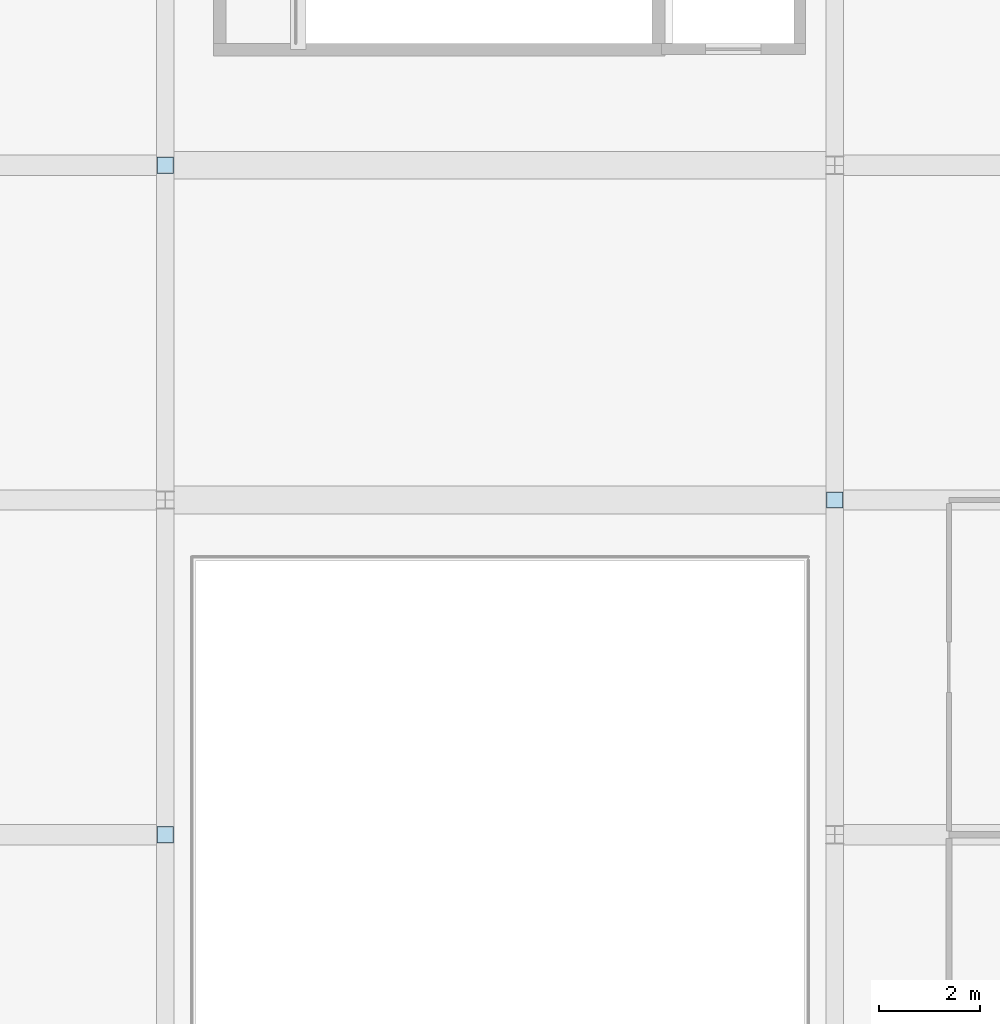
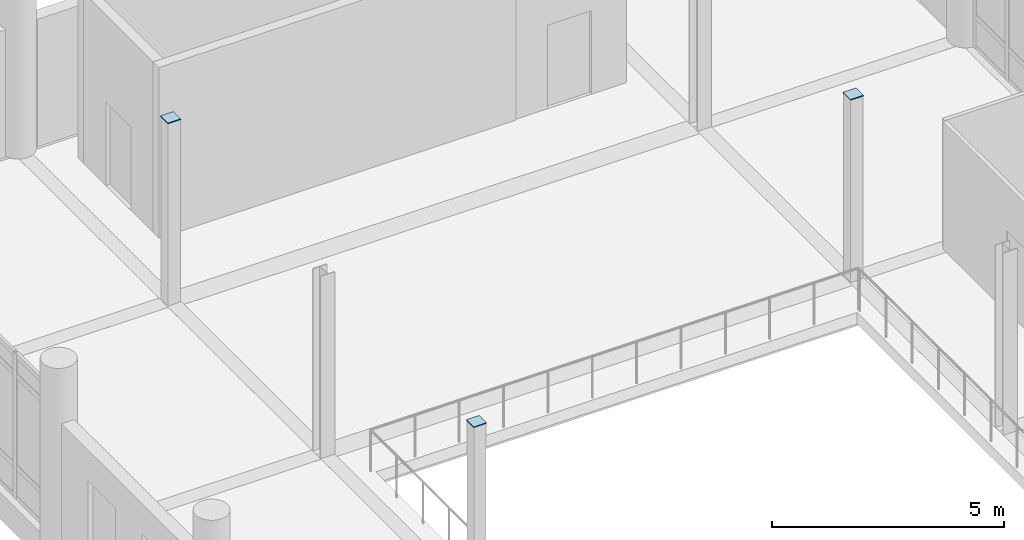
# One storey, part 44 of 76: 3 plates.
"""IFC4 building model written with IfcOpenShell, lengths in metres."""

from ifc_helpers import new_model, si_unit, direction, frame, origin, origin_2d, place, context, subcontext, project, spatial, rectangle, extrude, material, layer, layer_set, type_object, element, save


model = new_model("IFC4")

# Units and contexts
model_context = context("Model", 3, precision=1e-05, world=origin(), true_north=direction((0.0, 1.0)))
body_context = subcontext(model_context, "Body", "Model", "MODEL_VIEW")
ifc_project = project(units=[si_unit("LENGTHUNIT", "METRE"), si_unit("AREAUNIT", "SQUARE_METRE"), si_unit("VOLUMEUNIT", "CUBIC_METRE"), si_unit("PLANEANGLEUNIT", "RADIAN"), si_unit("MASSUNIT", "GRAM", prefix="KILO")], contexts=[model_context])

# Site, building, storey
site_placement = place(None, origin())
site = spatial("IfcSite", under=ifc_project, at=site_placement, CompositionType="ELEMENT")
building_placement = place(site_placement, origin())
building = spatial("IfcBuilding", under=site, at=building_placement, Name="Dornvale Research Institute", CompositionType="ELEMENT")
storey_placement = place(building_placement, frame((0.0, 0.0, 15.0)))
storey = spatial("IfcBuildingStorey", under=building, at=storey_placement, Name="L03", CompositionType="ELEMENT", Elevation=15.0)

# Plates
ifc_material = material(Name="Steel ASTM A572 Grade 50", Category="steel")
ifc_layer = layer(ifc_material, 0.02490234375)
ifc_layer_set = layer_set([ifc_layer], Name="Steel ASTM A572 Grade 50")
plate_type = type_object("IfcPlateType", Name="SheetPlate_EndCap_25", PredefinedType="SHEET", material=ifc_layer_set)
for number, where, z_axis, x_axis, name in (
    (1, (46.199951171875, 66.0, 4.800048828125), (0.0, 0.0, 1.0), (1.0, 0.0, 0.0), "HSS column top cap plate ND-078"),
    (2, (46.199951171875, 79.199951171875, 4.800048828125), (0.0, 0.0, 1.0), (1.0, 0.0, 0.0), "HSS column top cap plate ND-079"),
    (3, (59.39990234375, 72.60009765625, 4.800048828125), (0.0, 0.0, 1.0), (1.0, 0.0, 0.0), "HSS column top cap plate ND-082"),
):
    element("IfcPlate", number, at=place(storey_placement, frame(where, z_axis=z_axis, x_axis=x_axis)), inside=storey, type_object=plate_type, Name=name, PredefinedType="SHEET", context=body_context, shape_type="SweptSolid", body=[
        extrude(rectangle(XDim=0.320068359375, YDim=0.320068359375, at=origin_2d()), origin(), (0.0, 0.0, 1.0), 0.02490234375),
    ])

save(model, "model.ifc")
